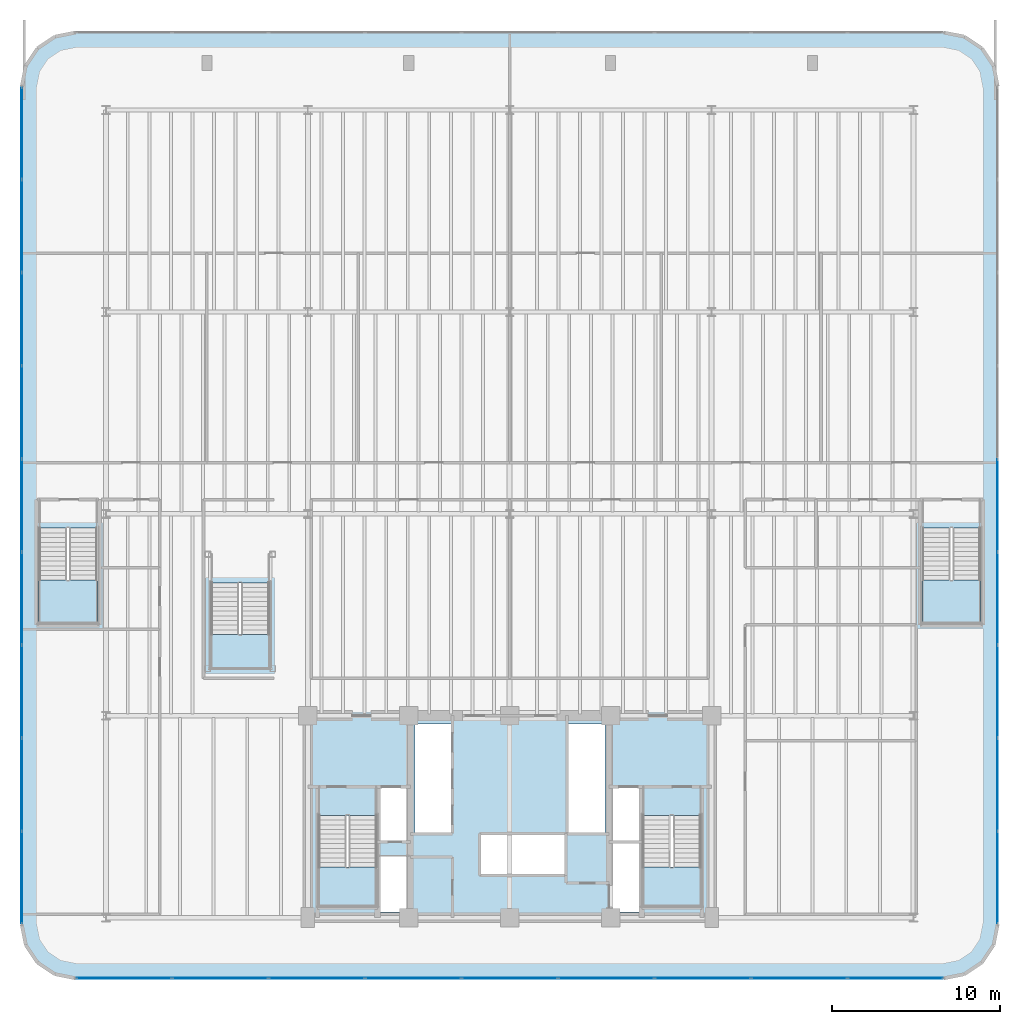
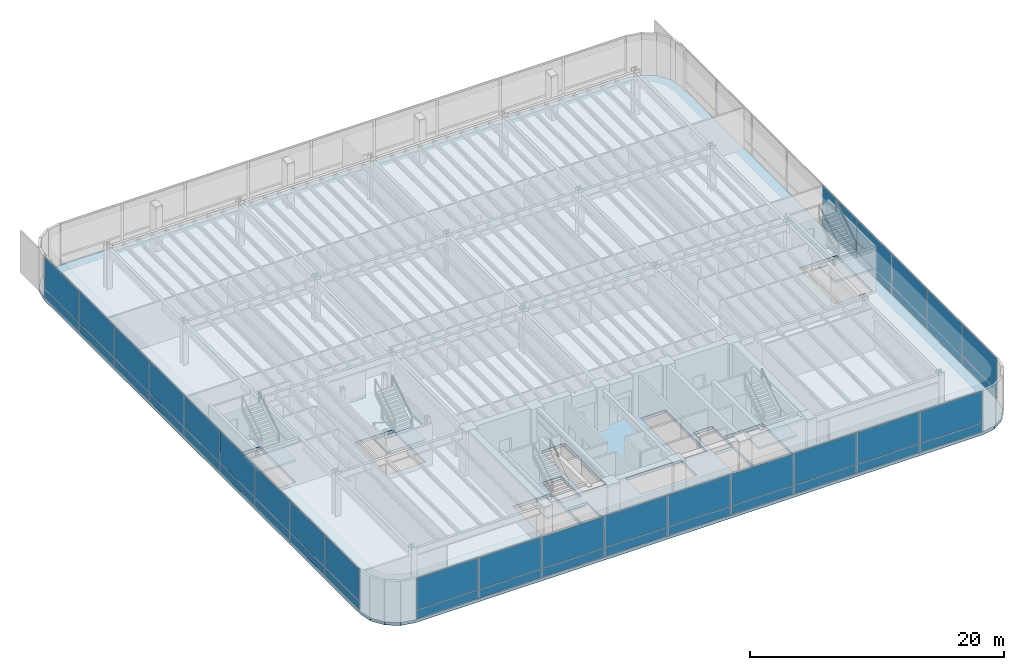
# One storey, part 10 of 18: 46 plates, 6 slabs, 8 elements without a shape of their own.
"""IFC4 building model written with IfcOpenShell, lengths in metres."""

from ifc_helpers import new_model, si_unit, direction, frame, origin, origin_2d, place, context, subcontext, project, spatial, polyline, rectangle, outline, extrude, source, transform, mapped, material, layer, layer_set, type_object, element, aggregate, save


model = new_model("IFC4")

# Units and contexts
model_context = context("Model", 3, precision=1e-05, world=origin(), true_north=direction((0.0, 1.0)))
body_context = subcontext(model_context, "Body", "Model", "MODEL_VIEW")
ifc_project = project(units=[si_unit("LENGTHUNIT", "METRE"), si_unit("AREAUNIT", "SQUARE_METRE"), si_unit("VOLUMEUNIT", "CUBIC_METRE"), si_unit("PLANEANGLEUNIT", "RADIAN"), si_unit("MASSUNIT", "GRAM", prefix="KILO")], contexts=[model_context])

# Site, building, storey
site_placement = place(None, origin())
site = spatial("IfcSite", under=ifc_project, at=site_placement, CompositionType="ELEMENT")
building_placement = place(site_placement, origin())
building = spatial("IfcBuilding", under=site, at=building_placement, Name="Brelvock Crest Care Tower", CompositionType="ELEMENT")
storey_placement = place(building_placement, frame((0.0, 0.0, 9.719970703125)))
storey = spatial("IfcBuildingStorey", under=building, at=storey_placement, Name="L02", CompositionType="ELEMENT", Elevation=9.719970703125)

# Slab
ifc_material_1 = material(Name="Concrete N50 (50 MPa)", Category="concrete")
ifc_layer_1 = layer(ifc_material_1, 0.280029296875, Name="SLB-FL2")
ifc_layer_set_1 = layer_set([ifc_layer_1], Name="Concrete N50 (50 MPa)")
slab_type_1 = type_object("IfcSlabType", Name="SLB-FL2", PredefinedType="FLOOR", material=ifc_layer_set_1)
slab_1_placement = place(storey_placement, frame((0.0, 0.0, -0.280029296875)))
element("IfcSlab", 1, at=slab_1_placement, inside=storey, type_object=slab_type_1, Name="L02 Main Structural Slab", PredefinedType="FLOOR", context=body_context, shape_type="SweptSolid", body=[
    extrude(outline(polyline([(61.800048828125, 2.39990234375), (63.024658203125, 2.6435546875), (64.062744140625, 3.33740234375), (64.75634765625, 4.37548828125), (65.0, 5.60009765625), (65.0, 55.39990234375), (64.75634765625, 56.62451171875), (64.062744140625, 57.66259765625), (63.024658203125, 58.3564453125), (61.800048828125, 58.60009765625), (10.199951171875, 58.60009765625), (8.975341796875, 58.3564453125), (7.937255859375, 57.66259765625), (7.24365234375, 56.62451171875), (7.0, 55.39990234375), (7.0, 5.60009765625), (7.24365234375, 4.37548828125), (7.937255859375, 3.33740234375), (8.975341796875, 2.6435546875), (10.199951171875, 2.39990234375), (61.800048828125, 2.39990234375)]), holes=[polyline([(28.239990234375, 10.580078125), (29.97998046875, 10.580078125), (29.97998046875, 13.739990234375), (28.239990234375, 13.739990234375), (28.239990234375, 10.580078125)]), polyline([(42.02001953125, 10.580078125), (43.760009765625, 10.580078125), (43.760009765625, 13.739990234375), (42.02001953125, 13.739990234375), (42.02001953125, 10.580078125)]), polyline([(28.239990234375, 6.340087890625), (29.97998046875, 6.340087890625), (29.97998046875, 9.64990234375), (28.239990234375, 9.64990234375), (28.239990234375, 6.340087890625)]), polyline([(24.6298828125, 12.080078125), (24.6298828125, 6.699951171875), (28.110107421875, 6.699951171875), (28.110107421875, 12.080078125), (24.6298828125, 12.080078125)]), polyline([(43.889892578125, 12.080078125), (43.889892578125, 6.699951171875), (47.3701171875, 6.699951171875), (47.3701171875, 12.080078125), (43.889892578125, 12.080078125)]), polyline([(8.010009765625, 29.14990234375), (8.010009765625, 23.5), (11.489990234375, 23.5), (11.489990234375, 29.14990234375), (8.010009765625, 29.14990234375)]), polyline([(60.510009765625, 29.14990234375), (60.510009765625, 23.5), (63.989990234375, 23.5), (63.989990234375, 29.14990234375), (60.510009765625, 29.14990234375)]), polyline([(18.239990234375, 25.89990234375), (18.239990234375, 20.800048828125), (21.719970703125, 20.800048828125), (21.719970703125, 25.89990234375), (18.239990234375, 25.89990234375)]), polyline([(42.02001953125, 6.340087890625), (43.760009765625, 6.340087890625), (43.760009765625, 10.5), (42.02001953125, 10.5), (42.02001953125, 6.340087890625)]), polyline([(30.3798828125, 11.030029296875), (32.52001953125, 11.030029296875), (32.52001953125, 17.52001953125), (30.3798828125, 17.52001953125), (30.3798828125, 11.030029296875)]), polyline([(34.22998046875, 8.530029296875), (39.320068359375, 8.530029296875), (39.320068359375, 10.969970703125), (34.22998046875, 10.969970703125), (34.22998046875, 8.530029296875)]), polyline([(39.429931640625, 11.030029296875), (41.669921875, 11.030029296875), (41.669921875, 17.52001953125), (39.429931640625, 17.52001953125), (39.429931640625, 11.030029296875)])]), origin(), (0.0, 0.0, 1.0), 0.280029296875),
])

# Stair, slab
ifc_material_2 = material(Name="Concrete N40 (40 MPa)", Category="concrete")
stair_type_1 = type_object("IfcStairType", Name="ST-CORE1", PredefinedType="HALF_TURN_STAIR", material=ifc_material_2)
stair_1_placement = place(storey_placement, origin())
stair_1 = element("IfcStair", 2, at=stair_1_placement, inside=storey, type_object=stair_type_1, Name="L02 Fire-Isolated Core Stair ST-1", PredefinedType="HALF_TURN_STAIR")
ifc_layer_2 = layer(ifc_material_2, 0.199951171875, Name="STL-1")
ifc_layer_set_2 = layer_set([ifc_layer_2], Name="Concrete N40 (40 MPa)")
slab_type_2 = type_object("IfcSlabType", Name="STL-1", PredefinedType="LANDING", material=ifc_layer_set_2)
slab_2_placement = place(storey_placement, frame((0.0, 0.0, 1.9599609375)))
slab_2 = element("IfcSlab", 3, at=slab_2_placement, type_object=slab_type_2, Name="ST-1 landing 1", PredefinedType="LANDING", context=body_context, shape_type="SweptSolid", body=[
    extrude(outline(polyline([(24.6298828125, 9.0), (24.6298828125, 6.699951171875), (28.110107421875, 6.699951171875), (28.110107421875, 9.0), (24.6298828125, 9.0)])), origin(), (0.0, 0.0, 1.0), 0.199951171875),
])
aggregate(stair_1, [slab_2])

stair_2_placement = place(storey_placement, origin())
stair_2 = element("IfcStair", 4, at=stair_2_placement, inside=storey, type_object=stair_type_1, Name="L02 Fire-Isolated Core Stair ST-2", PredefinedType="HALF_TURN_STAIR")
slab_3_placement = place(storey_placement, frame((0.0, 0.0, 1.9599609375)))
slab_3 = element("IfcSlab", 5, at=slab_3_placement, type_object=slab_type_2, Name="ST-2 landing 1", PredefinedType="LANDING", context=body_context, shape_type="SweptSolid", body=[
    extrude(outline(polyline([(43.889892578125, 9.0), (43.889892578125, 6.699951171875), (47.3701171875, 6.699951171875), (47.3701171875, 9.0), (43.889892578125, 9.0)])), origin(), (0.0, 0.0, 1.0), 0.199951171875),
])
aggregate(stair_2, [slab_3])

stair_type_2 = type_object("IfcStairType", Name="ST-POD1", PredefinedType="HALF_TURN_STAIR", material=ifc_material_2)
stair_3_placement = place(storey_placement, origin())
stair_3 = element("IfcStair", 6, at=stair_3_placement, inside=storey, type_object=stair_type_2, Name="L02 Podium West Fire Stair ST-3", PredefinedType="HALF_TURN_STAIR")
slab_4_placement = place(storey_placement, frame((0.0, 0.0, 1.9599609375)))
slab_4 = element("IfcSlab", 7, at=slab_4_placement, type_object=slab_type_2, Name="ST-3 landing 1", PredefinedType="LANDING", context=body_context, shape_type="SweptSolid", body=[
    extrude(outline(polyline([(8.010009765625, 26.070068359375), (8.010009765625, 23.5), (11.489990234375, 23.5), (11.489990234375, 26.070068359375), (8.010009765625, 26.070068359375)])), origin(), (0.0, 0.0, 1.0), 0.199951171875),
])
aggregate(stair_3, [slab_4])

stair_4_placement = place(storey_placement, origin())
stair_4 = element("IfcStair", 8, at=stair_4_placement, inside=storey, type_object=stair_type_2, Name="L02 Podium East Fire Stair ST-4", PredefinedType="HALF_TURN_STAIR")
slab_5_placement = place(storey_placement, frame((0.0, 0.0, 1.9599609375)))
slab_5 = element("IfcSlab", 9, at=slab_5_placement, type_object=slab_type_2, Name="ST-4 landing 1", PredefinedType="LANDING", context=body_context, shape_type="SweptSolid", body=[
    extrude(outline(polyline([(60.510009765625, 26.070068359375), (60.510009765625, 23.5), (63.989990234375, 23.5), (63.989990234375, 26.070068359375), (60.510009765625, 26.070068359375)])), origin(), (0.0, 0.0, 1.0), 0.199951171875),
])
aggregate(stair_4, [slab_5])

stair_type_3 = type_object("IfcStairType", Name="ST-FEA1", PredefinedType="HALF_TURN_STAIR", material=ifc_material_2)
stair_5_placement = place(storey_placement, origin())
stair_5 = element("IfcStair", 10, at=stair_5_placement, inside=storey, type_object=stair_type_3, Name="L02 Clinic Atrium Feature Stair ST-5", PredefinedType="HALF_TURN_STAIR")
slab_6_placement = place(storey_placement, frame((0.0, 0.0, 1.9599609375)))
slab_6 = element("IfcSlab", 11, at=slab_6_placement, type_object=slab_type_2, Name="ST-5 landing 1", PredefinedType="LANDING", context=body_context, shape_type="SweptSolid", body=[
    extrude(outline(polyline([(18.239990234375, 22.820068359375), (18.239990234375, 20.800048828125), (21.719970703125, 20.800048828125), (21.719970703125, 22.820068359375), (18.239990234375, 22.820068359375)])), origin(), (0.0, 0.0, 1.0), 0.199951171875),
])
aggregate(stair_5, [slab_6])

# Curtain wall, plates
ifc_material_3 = material(Name="Dark Glass Double Glazed Low-E", Category="glass")
ifc_layer_3 = layer(ifc_material_3, 0.179931640625, Name="CWS-1")
ifc_layer_set_3 = layer_set([ifc_layer_3], Name="Dark Glass Double Glazed Low-E")
curtain_wall_type = type_object("IfcCurtainWallType", Name="CWS-1", PredefinedType="NOTDEFINED", material=ifc_layer_set_3)
curtain_wall_1_placement = place(storey_placement, origin())
curtain_wall_1 = element("IfcCurtainWall", 12, at=curtain_wall_1_placement, inside=storey, type_object=curtain_wall_type, Name="L02 Curtain Wall E04", PredefinedType="NOTDEFINED")
ifc_material_4 = material(Name="Dark Glass Shadow-Box Spandrel", Category="glass")
ifc_layer_4 = layer(ifc_material_4, 0.048095703125, Name="CWP-SP1")
ifc_layer_set_4 = layer_set([ifc_layer_4], Name="Dark Glass Shadow-Box Spandrel")
plate_type_1 = type_object("IfcPlateType", Name="CWP-SP1", PredefinedType="SHEET", material=ifc_layer_set_4)
shared_shape_1 = source(origin(), body_context, "Body", "SweptSolid", [
    extrude(rectangle(XDim=5.435791015625, YDim=0.035888671875, at=origin_2d()), origin(), (0.0, 0.0, 1.0), 0.802490234375),
])
plate_1_placement = place(storey_placement, frame((7.0, 8.3828125, 0.06494140625), z_axis=(0.0, 0.0, 1.0), x_axis=(0.0, 1.0, 0.0)))
plate_1 = element("IfcPlate", 13, at=plate_1_placement, type_object=plate_type_1, Name="CW-1 panel 1.1", PredefinedType="SHEET", context=body_context, shape_type="MappedRepresentation", body=[
    mapped(shared_shape_1, transform((0.0, 0.0, 0.0), x_axis=(1.0, 0.0, 0.0), y_axis=(0.0, 1.0, 0.0), z_axis=(0.0, 0.0, 1.0), scale=1.0)),
])
plate_2_placement = place(storey_placement, frame((7.0, 52.6171875, 0.06494140625), z_axis=(0.0, 0.0, 1.0), x_axis=(0.0, 1.0, 0.0)))
plate_2 = element("IfcPlate", 14, at=plate_2_placement, type_object=plate_type_1, Name="CW-1 panel 9.1", PredefinedType="SHEET", context=body_context, shape_type="MappedRepresentation", body=[
    mapped(shared_shape_1, transform((0.0, 0.0, 0.0), x_axis=(1.0, 0.0, 0.0), y_axis=(0.0, 1.0, 0.0), z_axis=(0.0, 0.0, 1.0), scale=1.0)),
])

# Curtain wall, plate
curtain_wall_2_placement = place(storey_placement, origin())
curtain_wall_2 = element("IfcCurtainWall", 15, at=curtain_wall_2_placement, inside=storey, type_object=curtain_wall_type, Name="L02 Curtain Wall E14", PredefinedType="NOTDEFINED")
plate_3_placement = place(storey_placement, frame((65.0, 8.3828125, 0.06494140625), z_axis=(0.0, 0.0, 1.0), x_axis=(0.0, -1.0, 0.0)))
plate_3 = element("IfcPlate", 16, at=plate_3_placement, type_object=plate_type_1, Name="CW-1 panel 9.1", PredefinedType="SHEET", context=body_context, shape_type="MappedRepresentation", body=[
    mapped(shared_shape_1, transform((0.0, 0.0, 0.0), x_axis=(1.0, 0.0, 0.0), y_axis=(0.0, 1.0, 0.0), z_axis=(0.0, 0.0, 1.0), scale=1.0)),
])

# Plate
ifc_layer_5 = layer(ifc_material_3, 0.031982421875, Name="CWP-V1")
ifc_layer_set_5 = layer_set([ifc_layer_5], Name="Dark Glass Double Glazed Low-E")
plate_type_2 = type_object("IfcPlateType", Name="CWP-V1", PredefinedType="CURTAIN_PANEL", material=ifc_layer_set_5)
shared_shape_2 = source(origin(), body_context, "Body", "SweptSolid", [
    extrude(rectangle(XDim=5.435791015625, YDim=0.035888671875, at=origin_2d()), origin(), (0.0, 0.0, 1.0), 3.04248046875),
])
plate_4_placement = place(storey_placement, frame((7.0, 8.3828125, 0.9326171875), z_axis=(0.0, 0.0, 1.0), x_axis=(0.0, 1.0, 0.0)))
plate_4 = element("IfcPlate", 17, at=plate_4_placement, type_object=plate_type_2, Name="CW-1 panel 1.2", PredefinedType="CURTAIN_PANEL", context=body_context, shape_type="MappedRepresentation", body=[
    mapped(shared_shape_2, transform((0.0, 0.0, 0.0), x_axis=(1.0, 0.0, 0.0), y_axis=(0.0, 1.0, 0.0), z_axis=(0.0, 0.0, 1.0), scale=1.0)),
])

plate_5_placement = place(storey_placement, frame((7.0, 52.6171875, 0.9326171875), z_axis=(0.0, 0.0, 1.0), x_axis=(0.0, 1.0, 0.0)))
plate_5 = element("IfcPlate", 18, at=plate_5_placement, type_object=plate_type_2, Name="CW-1 panel 9.2", PredefinedType="CURTAIN_PANEL", context=body_context, shape_type="MappedRepresentation", body=[
    mapped(shared_shape_2, transform((0.0, 0.0, 0.0), x_axis=(1.0, 0.0, 0.0), y_axis=(0.0, 1.0, 0.0), z_axis=(0.0, 0.0, 1.0), scale=1.0)),
])

plate_6_placement = place(storey_placement, frame((65.0, 8.3828125, 0.9326171875), z_axis=(0.0, 0.0, 1.0), x_axis=(0.0, -1.0, 0.0)))
plate_6 = element("IfcPlate", 19, at=plate_6_placement, type_object=plate_type_2, Name="CW-1 panel 9.2", PredefinedType="CURTAIN_PANEL", context=body_context, shape_type="MappedRepresentation", body=[
    mapped(shared_shape_2, transform((0.0, 0.0, 0.0), x_axis=(1.0, 0.0, 0.0), y_axis=(0.0, 1.0, 0.0), z_axis=(0.0, 0.0, 1.0), scale=1.0)),
])

shared_shape_3 = source(origin(), body_context, "Body", "SweptSolid", [
    extrude(rectangle(XDim=5.46826171875, YDim=0.035888671875, at=origin_2d()), origin(), (0.0, 0.0, 1.0), 0.802490234375),
])
plate_7_placement = place(storey_placement, frame((7.0, 13.89990234375, 0.06494140625), z_axis=(0.0, 0.0, 1.0), x_axis=(0.0, 1.0, 0.0)))
plate_7 = element("IfcPlate", 20, at=plate_7_placement, type_object=plate_type_1, Name="CW-1 panel 2.1", PredefinedType="SHEET", context=body_context, shape_type="MappedRepresentation", body=[
    mapped(shared_shape_3, transform((0.0, 0.0, 0.0), x_axis=(1.0, 0.0, 0.0), y_axis=(0.0, 1.0, 0.0), z_axis=(0.0, 0.0, 1.0), scale=1.0)),
])

plate_8_placement = place(storey_placement, frame((7.0, 19.433349609375, 0.06494140625), z_axis=(0.0, 0.0, 1.0), x_axis=(0.0, 1.0, 0.0)))
plate_8 = element("IfcPlate", 21, at=plate_8_placement, type_object=plate_type_1, Name="CW-1 panel 3.1", PredefinedType="SHEET", context=body_context, shape_type="MappedRepresentation", body=[
    mapped(shared_shape_3, transform((0.0, 0.0, 0.0), x_axis=(1.0, 0.0, 0.0), y_axis=(0.0, 1.0, 0.0), z_axis=(0.0, 0.0, 1.0), scale=1.0)),
])

plate_9_placement = place(storey_placement, frame((7.0, 24.966552734375, 0.06494140625), z_axis=(0.0, 0.0, 1.0), x_axis=(0.0, 1.0, 0.0)))
plate_9 = element("IfcPlate", 22, at=plate_9_placement, type_object=plate_type_1, Name="CW-1 panel 4.1", PredefinedType="SHEET", context=body_context, shape_type="MappedRepresentation", body=[
    mapped(shared_shape_3, transform((0.0, 0.0, 0.0), x_axis=(1.0, 0.0, 0.0), y_axis=(0.0, 1.0, 0.0), z_axis=(0.0, 0.0, 1.0), scale=1.0)),
])

plate_10_placement = place(storey_placement, frame((7.0, 30.5, 0.06494140625), z_axis=(0.0, 0.0, 1.0), x_axis=(0.0, 1.0, 0.0)))
plate_10 = element("IfcPlate", 23, at=plate_10_placement, type_object=plate_type_1, Name="CW-1 panel 5.1", PredefinedType="SHEET", context=body_context, shape_type="MappedRepresentation", body=[
    mapped(shared_shape_3, transform((0.0, 0.0, 0.0), x_axis=(1.0, 0.0, 0.0), y_axis=(0.0, 1.0, 0.0), z_axis=(0.0, 0.0, 1.0), scale=1.0)),
])

plate_11_placement = place(storey_placement, frame((7.0, 36.033447265625, 0.06494140625), z_axis=(0.0, 0.0, 1.0), x_axis=(0.0, 1.0, 0.0)))
plate_11 = element("IfcPlate", 24, at=plate_11_placement, type_object=plate_type_1, Name="CW-1 panel 6.1", PredefinedType="SHEET", context=body_context, shape_type="MappedRepresentation", body=[
    mapped(shared_shape_3, transform((0.0, 0.0, 0.0), x_axis=(1.0, 0.0, 0.0), y_axis=(0.0, 1.0, 0.0), z_axis=(0.0, 0.0, 1.0), scale=1.0)),
])

plate_12_placement = place(storey_placement, frame((7.0, 41.566650390625, 0.06494140625), z_axis=(0.0, 0.0, 1.0), x_axis=(0.0, 1.0, 0.0)))
plate_12 = element("IfcPlate", 25, at=plate_12_placement, type_object=plate_type_1, Name="CW-1 panel 7.1", PredefinedType="SHEET", context=body_context, shape_type="MappedRepresentation", body=[
    mapped(shared_shape_3, transform((0.0, 0.0, 0.0), x_axis=(1.0, 0.0, 0.0), y_axis=(0.0, 1.0, 0.0), z_axis=(0.0, 0.0, 1.0), scale=1.0)),
])

plate_13_placement = place(storey_placement, frame((7.0, 47.10009765625, 0.06494140625), z_axis=(0.0, 0.0, 1.0), x_axis=(0.0, 1.0, 0.0)))
plate_13 = element("IfcPlate", 26, at=plate_13_placement, type_object=plate_type_1, Name="CW-1 panel 8.1", PredefinedType="SHEET", context=body_context, shape_type="MappedRepresentation", body=[
    mapped(shared_shape_3, transform((0.0, 0.0, 0.0), x_axis=(1.0, 0.0, 0.0), y_axis=(0.0, 1.0, 0.0), z_axis=(0.0, 0.0, 1.0), scale=1.0)),
])

plate_14_placement = place(storey_placement, frame((65.0, 30.5, 0.06494140625), z_axis=(0.0, 0.0, 1.0), x_axis=(0.0, -1.0, 0.0)))
plate_14 = element("IfcPlate", 27, at=plate_14_placement, type_object=plate_type_1, Name="CW-1 panel 5.1", PredefinedType="SHEET", context=body_context, shape_type="MappedRepresentation", body=[
    mapped(shared_shape_3, transform((0.0, 0.0, 0.0), x_axis=(1.0, 0.0, 0.0), y_axis=(0.0, 1.0, 0.0), z_axis=(0.0, 0.0, 1.0), scale=1.0)),
])

plate_15_placement = place(storey_placement, frame((65.0, 24.966552734375, 0.06494140625), z_axis=(0.0, 0.0, 1.0), x_axis=(0.0, -1.0, 0.0)))
plate_15 = element("IfcPlate", 28, at=plate_15_placement, type_object=plate_type_1, Name="CW-1 panel 6.1", PredefinedType="SHEET", context=body_context, shape_type="MappedRepresentation", body=[
    mapped(shared_shape_3, transform((0.0, 0.0, 0.0), x_axis=(1.0, 0.0, 0.0), y_axis=(0.0, 1.0, 0.0), z_axis=(0.0, 0.0, 1.0), scale=1.0)),
])

plate_16_placement = place(storey_placement, frame((65.0, 19.433349609375, 0.06494140625), z_axis=(0.0, 0.0, 1.0), x_axis=(0.0, -1.0, 0.0)))
plate_16 = element("IfcPlate", 29, at=plate_16_placement, type_object=plate_type_1, Name="CW-1 panel 7.1", PredefinedType="SHEET", context=body_context, shape_type="MappedRepresentation", body=[
    mapped(shared_shape_3, transform((0.0, 0.0, 0.0), x_axis=(1.0, 0.0, 0.0), y_axis=(0.0, 1.0, 0.0), z_axis=(0.0, 0.0, 1.0), scale=1.0)),
])

plate_17_placement = place(storey_placement, frame((65.0, 13.89990234375, 0.06494140625), z_axis=(0.0, 0.0, 1.0), x_axis=(0.0, -1.0, 0.0)))
plate_17 = element("IfcPlate", 30, at=plate_17_placement, type_object=plate_type_1, Name="CW-1 panel 8.1", PredefinedType="SHEET", context=body_context, shape_type="MappedRepresentation", body=[
    mapped(shared_shape_3, transform((0.0, 0.0, 0.0), x_axis=(1.0, 0.0, 0.0), y_axis=(0.0, 1.0, 0.0), z_axis=(0.0, 0.0, 1.0), scale=1.0)),
])

shared_shape_4 = source(origin(), body_context, "Body", "SweptSolid", [
    extrude(rectangle(XDim=5.46826171875, YDim=0.035888671875, at=origin_2d()), origin(), (0.0, 0.0, 1.0), 3.04248046875),
])
plate_18_placement = place(storey_placement, frame((7.0, 13.89990234375, 0.9326171875), z_axis=(0.0, 0.0, 1.0), x_axis=(0.0, 1.0, 0.0)))
plate_18 = element("IfcPlate", 31, at=plate_18_placement, type_object=plate_type_2, Name="CW-1 panel 2.2", PredefinedType="CURTAIN_PANEL", context=body_context, shape_type="MappedRepresentation", body=[
    mapped(shared_shape_4, transform((0.0, 0.0, 0.0), x_axis=(1.0, 0.0, 0.0), y_axis=(0.0, 1.0, 0.0), z_axis=(0.0, 0.0, 1.0), scale=1.0)),
])

plate_19_placement = place(storey_placement, frame((7.0, 19.433349609375, 0.9326171875), z_axis=(0.0, 0.0, 1.0), x_axis=(0.0, 1.0, 0.0)))
plate_19 = element("IfcPlate", 32, at=plate_19_placement, type_object=plate_type_2, Name="CW-1 panel 3.2", PredefinedType="CURTAIN_PANEL", context=body_context, shape_type="MappedRepresentation", body=[
    mapped(shared_shape_4, transform((0.0, 0.0, 0.0), x_axis=(1.0, 0.0, 0.0), y_axis=(0.0, 1.0, 0.0), z_axis=(0.0, 0.0, 1.0), scale=1.0)),
])

plate_20_placement = place(storey_placement, frame((7.0, 24.966552734375, 0.9326171875), z_axis=(0.0, 0.0, 1.0), x_axis=(0.0, 1.0, 0.0)))
plate_20 = element("IfcPlate", 33, at=plate_20_placement, type_object=plate_type_2, Name="CW-1 panel 4.2", PredefinedType="CURTAIN_PANEL", context=body_context, shape_type="MappedRepresentation", body=[
    mapped(shared_shape_4, transform((0.0, 0.0, 0.0), x_axis=(1.0, 0.0, 0.0), y_axis=(0.0, 1.0, 0.0), z_axis=(0.0, 0.0, 1.0), scale=1.0)),
])

plate_21_placement = place(storey_placement, frame((7.0, 30.5, 0.9326171875), z_axis=(0.0, 0.0, 1.0), x_axis=(0.0, 1.0, 0.0)))
plate_21 = element("IfcPlate", 34, at=plate_21_placement, type_object=plate_type_2, Name="CW-1 panel 5.2", PredefinedType="CURTAIN_PANEL", context=body_context, shape_type="MappedRepresentation", body=[
    mapped(shared_shape_4, transform((0.0, 0.0, 0.0), x_axis=(1.0, 0.0, 0.0), y_axis=(0.0, 1.0, 0.0), z_axis=(0.0, 0.0, 1.0), scale=1.0)),
])

plate_22_placement = place(storey_placement, frame((7.0, 36.033447265625, 0.9326171875), z_axis=(0.0, 0.0, 1.0), x_axis=(0.0, 1.0, 0.0)))
plate_22 = element("IfcPlate", 35, at=plate_22_placement, type_object=plate_type_2, Name="CW-1 panel 6.2", PredefinedType="CURTAIN_PANEL", context=body_context, shape_type="MappedRepresentation", body=[
    mapped(shared_shape_4, transform((0.0, 0.0, 0.0), x_axis=(1.0, 0.0, 0.0), y_axis=(0.0, 1.0, 0.0), z_axis=(0.0, 0.0, 1.0), scale=1.0)),
])

plate_23_placement = place(storey_placement, frame((7.0, 41.566650390625, 0.9326171875), z_axis=(0.0, 0.0, 1.0), x_axis=(0.0, 1.0, 0.0)))
plate_23 = element("IfcPlate", 36, at=plate_23_placement, type_object=plate_type_2, Name="CW-1 panel 7.2", PredefinedType="CURTAIN_PANEL", context=body_context, shape_type="MappedRepresentation", body=[
    mapped(shared_shape_4, transform((0.0, 0.0, 0.0), x_axis=(1.0, 0.0, 0.0), y_axis=(0.0, 1.0, 0.0), z_axis=(0.0, 0.0, 1.0), scale=1.0)),
])

plate_24_placement = place(storey_placement, frame((7.0, 47.10009765625, 0.9326171875), z_axis=(0.0, 0.0, 1.0), x_axis=(0.0, 1.0, 0.0)))
plate_24 = element("IfcPlate", 37, at=plate_24_placement, type_object=plate_type_2, Name="CW-1 panel 8.2", PredefinedType="CURTAIN_PANEL", context=body_context, shape_type="MappedRepresentation", body=[
    mapped(shared_shape_4, transform((0.0, 0.0, 0.0), x_axis=(1.0, 0.0, 0.0), y_axis=(0.0, 1.0, 0.0), z_axis=(0.0, 0.0, 1.0), scale=1.0)),
])

aggregate(curtain_wall_1, [plate_1, plate_4, plate_7, plate_18, plate_8, plate_19, plate_9, plate_20, plate_10, plate_21, plate_11, plate_22, plate_12, plate_23, plate_13, plate_24, plate_2, plate_5])

plate_25_placement = place(storey_placement, frame((65.0, 30.5, 0.9326171875), z_axis=(0.0, 0.0, 1.0), x_axis=(0.0, -1.0, 0.0)))
plate_25 = element("IfcPlate", 38, at=plate_25_placement, type_object=plate_type_2, Name="CW-1 panel 5.2", PredefinedType="CURTAIN_PANEL", context=body_context, shape_type="MappedRepresentation", body=[
    mapped(shared_shape_4, transform((0.0, 0.0, 0.0), x_axis=(1.0, 0.0, 0.0), y_axis=(0.0, 1.0, 0.0), z_axis=(0.0, 0.0, 1.0), scale=1.0)),
])

plate_26_placement = place(storey_placement, frame((65.0, 24.966552734375, 0.9326171875), z_axis=(0.0, 0.0, 1.0), x_axis=(0.0, -1.0, 0.0)))
plate_26 = element("IfcPlate", 39, at=plate_26_placement, type_object=plate_type_2, Name="CW-1 panel 6.2", PredefinedType="CURTAIN_PANEL", context=body_context, shape_type="MappedRepresentation", body=[
    mapped(shared_shape_4, transform((0.0, 0.0, 0.0), x_axis=(1.0, 0.0, 0.0), y_axis=(0.0, 1.0, 0.0), z_axis=(0.0, 0.0, 1.0), scale=1.0)),
])

plate_27_placement = place(storey_placement, frame((65.0, 19.433349609375, 0.9326171875), z_axis=(0.0, 0.0, 1.0), x_axis=(0.0, -1.0, 0.0)))
plate_27 = element("IfcPlate", 40, at=plate_27_placement, type_object=plate_type_2, Name="CW-1 panel 7.2", PredefinedType="CURTAIN_PANEL", context=body_context, shape_type="MappedRepresentation", body=[
    mapped(shared_shape_4, transform((0.0, 0.0, 0.0), x_axis=(1.0, 0.0, 0.0), y_axis=(0.0, 1.0, 0.0), z_axis=(0.0, 0.0, 1.0), scale=1.0)),
])

plate_28_placement = place(storey_placement, frame((65.0, 13.89990234375, 0.9326171875), z_axis=(0.0, 0.0, 1.0), x_axis=(0.0, -1.0, 0.0)))
plate_28 = element("IfcPlate", 41, at=plate_28_placement, type_object=plate_type_2, Name="CW-1 panel 8.2", PredefinedType="CURTAIN_PANEL", context=body_context, shape_type="MappedRepresentation", body=[
    mapped(shared_shape_4, transform((0.0, 0.0, 0.0), x_axis=(1.0, 0.0, 0.0), y_axis=(0.0, 1.0, 0.0), z_axis=(0.0, 0.0, 1.0), scale=1.0)),
])

aggregate(curtain_wall_2, [plate_14, plate_25, plate_15, plate_26, plate_16, plate_27, plate_17, plate_28, plate_3, plate_6])

# Curtain wall, plates
curtain_wall_3_placement = place(storey_placement, origin())
curtain_wall_3 = element("IfcCurtainWall", 42, at=curtain_wall_3_placement, inside=storey, type_object=curtain_wall_type, Name="L02 Curtain Wall E19", PredefinedType="NOTDEFINED")
shared_shape_5 = source(origin(), body_context, "Body", "SweptSolid", [
    extrude(rectangle(XDim=5.6357421875, YDim=0.035888671875, at=origin_2d()), origin(), (0.0, 0.0, 1.0), 0.802490234375),
])
plate_29_placement = place(storey_placement, frame((58.9169921875, 2.39990234375, 0.06494140625), z_axis=(0.0, 0.0, 1.0), x_axis=(-1.0, 0.0, 0.0)))
plate_29 = element("IfcPlate", 43, at=plate_29_placement, type_object=plate_type_1, Name="CW-1 panel 1.1", PredefinedType="SHEET", context=body_context, shape_type="MappedRepresentation", body=[
    mapped(shared_shape_5, transform((0.0, 0.0, 0.0), x_axis=(1.0, 0.0, 0.0), y_axis=(0.0, 1.0, 0.0), z_axis=(0.0, 0.0, 1.0), scale=1.0)),
])
plate_30_placement = place(storey_placement, frame((13.0830078125, 2.39990234375, 0.06494140625), z_axis=(0.0, 0.0, 1.0), x_axis=(-1.0, 0.0, 0.0)))
plate_30 = element("IfcPlate", 44, at=plate_30_placement, type_object=plate_type_1, Name="CW-1 panel 9.1", PredefinedType="SHEET", context=body_context, shape_type="MappedRepresentation", body=[
    mapped(shared_shape_5, transform((0.0, 0.0, 0.0), x_axis=(1.0, 0.0, 0.0), y_axis=(0.0, 1.0, 0.0), z_axis=(0.0, 0.0, 1.0), scale=1.0)),
])
shared_shape_6 = source(origin(), body_context, "Body", "SweptSolid", [
    extrude(rectangle(XDim=5.6357421875, YDim=0.035888671875, at=origin_2d()), origin(), (0.0, 0.0, 1.0), 3.04248046875),
])
plate_31_placement = place(storey_placement, frame((58.9169921875, 2.39990234375, 0.9326171875), z_axis=(0.0, 0.0, 1.0), x_axis=(-1.0, 0.0, 0.0)))
plate_31 = element("IfcPlate", 45, at=plate_31_placement, type_object=plate_type_2, Name="CW-1 panel 1.2", PredefinedType="CURTAIN_PANEL", context=body_context, shape_type="MappedRepresentation", body=[
    mapped(shared_shape_6, transform((0.0, 0.0, 0.0), x_axis=(1.0, 0.0, 0.0), y_axis=(0.0, 1.0, 0.0), z_axis=(0.0, 0.0, 1.0), scale=1.0)),
])
plate_32_placement = place(storey_placement, frame((13.0830078125, 2.39990234375, 0.9326171875), z_axis=(0.0, 0.0, 1.0), x_axis=(-1.0, 0.0, 0.0)))
plate_32 = element("IfcPlate", 46, at=plate_32_placement, type_object=plate_type_2, Name="CW-1 panel 9.2", PredefinedType="CURTAIN_PANEL", context=body_context, shape_type="MappedRepresentation", body=[
    mapped(shared_shape_6, transform((0.0, 0.0, 0.0), x_axis=(1.0, 0.0, 0.0), y_axis=(0.0, 1.0, 0.0), z_axis=(0.0, 0.0, 1.0), scale=1.0)),
])
shared_shape_7 = source(origin(), body_context, "Body", "SweptSolid", [
    extrude(rectangle(XDim=5.668212890625, YDim=0.035888671875, at=origin_2d()), origin(), (0.0, 0.0, 1.0), 0.802490234375),
])
plate_33_placement = place(storey_placement, frame((53.199951171875, 2.39990234375, 0.06494140625), z_axis=(0.0, 0.0, 1.0), x_axis=(-1.0, 0.0, 0.0)))
plate_33 = element("IfcPlate", 47, at=plate_33_placement, type_object=plate_type_1, Name="CW-1 panel 2.1", PredefinedType="SHEET", context=body_context, shape_type="MappedRepresentation", body=[
    mapped(shared_shape_7, transform((0.0, 0.0, 0.0), x_axis=(1.0, 0.0, 0.0), y_axis=(0.0, 1.0, 0.0), z_axis=(0.0, 0.0, 1.0), scale=1.0)),
])
plate_34_placement = place(storey_placement, frame((47.466552734375, 2.39990234375, 0.06494140625), z_axis=(0.0, 0.0, 1.0), x_axis=(-1.0, 0.0, 0.0)))
plate_34 = element("IfcPlate", 48, at=plate_34_placement, type_object=plate_type_1, Name="CW-1 panel 3.1", PredefinedType="SHEET", context=body_context, shape_type="MappedRepresentation", body=[
    mapped(shared_shape_7, transform((0.0, 0.0, 0.0), x_axis=(1.0, 0.0, 0.0), y_axis=(0.0, 1.0, 0.0), z_axis=(0.0, 0.0, 1.0), scale=1.0)),
])
plate_35_placement = place(storey_placement, frame((41.7333984375, 2.39990234375, 0.06494140625), z_axis=(0.0, 0.0, 1.0), x_axis=(-1.0, 0.0, 0.0)))
plate_35 = element("IfcPlate", 49, at=plate_35_placement, type_object=plate_type_1, Name="CW-1 panel 4.1", PredefinedType="SHEET", context=body_context, shape_type="MappedRepresentation", body=[
    mapped(shared_shape_7, transform((0.0, 0.0, 0.0), x_axis=(1.0, 0.0, 0.0), y_axis=(0.0, 1.0, 0.0), z_axis=(0.0, 0.0, 1.0), scale=1.0)),
])
plate_36_placement = place(storey_placement, frame((36.0, 2.39990234375, 0.06494140625), z_axis=(0.0, 0.0, 1.0), x_axis=(-1.0, 0.0, 0.0)))
plate_36 = element("IfcPlate", 50, at=plate_36_placement, type_object=plate_type_1, Name="CW-1 panel 5.1", PredefinedType="SHEET", context=body_context, shape_type="MappedRepresentation", body=[
    mapped(shared_shape_7, transform((0.0, 0.0, 0.0), x_axis=(1.0, 0.0, 0.0), y_axis=(0.0, 1.0, 0.0), z_axis=(0.0, 0.0, 1.0), scale=1.0)),
])
plate_37_placement = place(storey_placement, frame((30.2666015625, 2.39990234375, 0.06494140625), z_axis=(0.0, 0.0, 1.0), x_axis=(-1.0, 0.0, 0.0)))
plate_37 = element("IfcPlate", 51, at=plate_37_placement, type_object=plate_type_1, Name="CW-1 panel 6.1", PredefinedType="SHEET", context=body_context, shape_type="MappedRepresentation", body=[
    mapped(shared_shape_7, transform((0.0, 0.0, 0.0), x_axis=(1.0, 0.0, 0.0), y_axis=(0.0, 1.0, 0.0), z_axis=(0.0, 0.0, 1.0), scale=1.0)),
])
plate_38_placement = place(storey_placement, frame((24.533447265625, 2.39990234375, 0.06494140625), z_axis=(0.0, 0.0, 1.0), x_axis=(-1.0, 0.0, 0.0)))
plate_38 = element("IfcPlate", 52, at=plate_38_placement, type_object=plate_type_1, Name="CW-1 panel 7.1", PredefinedType="SHEET", context=body_context, shape_type="MappedRepresentation", body=[
    mapped(shared_shape_7, transform((0.0, 0.0, 0.0), x_axis=(1.0, 0.0, 0.0), y_axis=(0.0, 1.0, 0.0), z_axis=(0.0, 0.0, 1.0), scale=1.0)),
])
plate_39_placement = place(storey_placement, frame((18.800048828125, 2.39990234375, 0.06494140625), z_axis=(0.0, 0.0, 1.0), x_axis=(-1.0, 0.0, 0.0)))
plate_39 = element("IfcPlate", 53, at=plate_39_placement, type_object=plate_type_1, Name="CW-1 panel 8.1", PredefinedType="SHEET", context=body_context, shape_type="MappedRepresentation", body=[
    mapped(shared_shape_7, transform((0.0, 0.0, 0.0), x_axis=(1.0, 0.0, 0.0), y_axis=(0.0, 1.0, 0.0), z_axis=(0.0, 0.0, 1.0), scale=1.0)),
])
shared_shape_8 = source(origin(), body_context, "Body", "SweptSolid", [
    extrude(rectangle(XDim=5.668212890625, YDim=0.035888671875, at=origin_2d()), origin(), (0.0, 0.0, 1.0), 3.04248046875),
])
plate_40_placement = place(storey_placement, frame((53.199951171875, 2.39990234375, 0.9326171875), z_axis=(0.0, 0.0, 1.0), x_axis=(-1.0, 0.0, 0.0)))
plate_40 = element("IfcPlate", 54, at=plate_40_placement, type_object=plate_type_2, Name="CW-1 panel 2.2", PredefinedType="CURTAIN_PANEL", context=body_context, shape_type="MappedRepresentation", body=[
    mapped(shared_shape_8, transform((0.0, 0.0, 0.0), x_axis=(1.0, 0.0, 0.0), y_axis=(0.0, 1.0, 0.0), z_axis=(0.0, 0.0, 1.0), scale=1.0)),
])
plate_41_placement = place(storey_placement, frame((47.466552734375, 2.39990234375, 0.9326171875), z_axis=(0.0, 0.0, 1.0), x_axis=(-1.0, 0.0, 0.0)))
plate_41 = element("IfcPlate", 55, at=plate_41_placement, type_object=plate_type_2, Name="CW-1 panel 3.2", PredefinedType="CURTAIN_PANEL", context=body_context, shape_type="MappedRepresentation", body=[
    mapped(shared_shape_8, transform((0.0, 0.0, 0.0), x_axis=(1.0, 0.0, 0.0), y_axis=(0.0, 1.0, 0.0), z_axis=(0.0, 0.0, 1.0), scale=1.0)),
])
plate_42_placement = place(storey_placement, frame((41.7333984375, 2.39990234375, 0.9326171875), z_axis=(0.0, 0.0, 1.0), x_axis=(-1.0, 0.0, 0.0)))
plate_42 = element("IfcPlate", 56, at=plate_42_placement, type_object=plate_type_2, Name="CW-1 panel 4.2", PredefinedType="CURTAIN_PANEL", context=body_context, shape_type="MappedRepresentation", body=[
    mapped(shared_shape_8, transform((0.0, 0.0, 0.0), x_axis=(1.0, 0.0, 0.0), y_axis=(0.0, 1.0, 0.0), z_axis=(0.0, 0.0, 1.0), scale=1.0)),
])
plate_43_placement = place(storey_placement, frame((36.0, 2.39990234375, 0.9326171875), z_axis=(0.0, 0.0, 1.0), x_axis=(-1.0, 0.0, 0.0)))
plate_43 = element("IfcPlate", 57, at=plate_43_placement, type_object=plate_type_2, Name="CW-1 panel 5.2", PredefinedType="CURTAIN_PANEL", context=body_context, shape_type="MappedRepresentation", body=[
    mapped(shared_shape_8, transform((0.0, 0.0, 0.0), x_axis=(1.0, 0.0, 0.0), y_axis=(0.0, 1.0, 0.0), z_axis=(0.0, 0.0, 1.0), scale=1.0)),
])
plate_44_placement = place(storey_placement, frame((30.2666015625, 2.39990234375, 0.9326171875), z_axis=(0.0, 0.0, 1.0), x_axis=(-1.0, 0.0, 0.0)))
plate_44 = element("IfcPlate", 58, at=plate_44_placement, type_object=plate_type_2, Name="CW-1 panel 6.2", PredefinedType="CURTAIN_PANEL", context=body_context, shape_type="MappedRepresentation", body=[
    mapped(shared_shape_8, transform((0.0, 0.0, 0.0), x_axis=(1.0, 0.0, 0.0), y_axis=(0.0, 1.0, 0.0), z_axis=(0.0, 0.0, 1.0), scale=1.0)),
])
plate_45_placement = place(storey_placement, frame((24.533447265625, 2.39990234375, 0.9326171875), z_axis=(0.0, 0.0, 1.0), x_axis=(-1.0, 0.0, 0.0)))
plate_45 = element("IfcPlate", 59, at=plate_45_placement, type_object=plate_type_2, Name="CW-1 panel 7.2", PredefinedType="CURTAIN_PANEL", context=body_context, shape_type="MappedRepresentation", body=[
    mapped(shared_shape_8, transform((0.0, 0.0, 0.0), x_axis=(1.0, 0.0, 0.0), y_axis=(0.0, 1.0, 0.0), z_axis=(0.0, 0.0, 1.0), scale=1.0)),
])
plate_46_placement = place(storey_placement, frame((18.800048828125, 2.39990234375, 0.9326171875), z_axis=(0.0, 0.0, 1.0), x_axis=(-1.0, 0.0, 0.0)))
plate_46 = element("IfcPlate", 60, at=plate_46_placement, type_object=plate_type_2, Name="CW-1 panel 8.2", PredefinedType="CURTAIN_PANEL", context=body_context, shape_type="MappedRepresentation", body=[
    mapped(shared_shape_8, transform((0.0, 0.0, 0.0), x_axis=(1.0, 0.0, 0.0), y_axis=(0.0, 1.0, 0.0), z_axis=(0.0, 0.0, 1.0), scale=1.0)),
])
aggregate(curtain_wall_3, [plate_29, plate_31, plate_33, plate_40, plate_34, plate_41, plate_35, plate_42, plate_36, plate_43, plate_37, plate_44, plate_38, plate_45, plate_39, plate_46, plate_30, plate_32])

save(model, "model.ifc")
